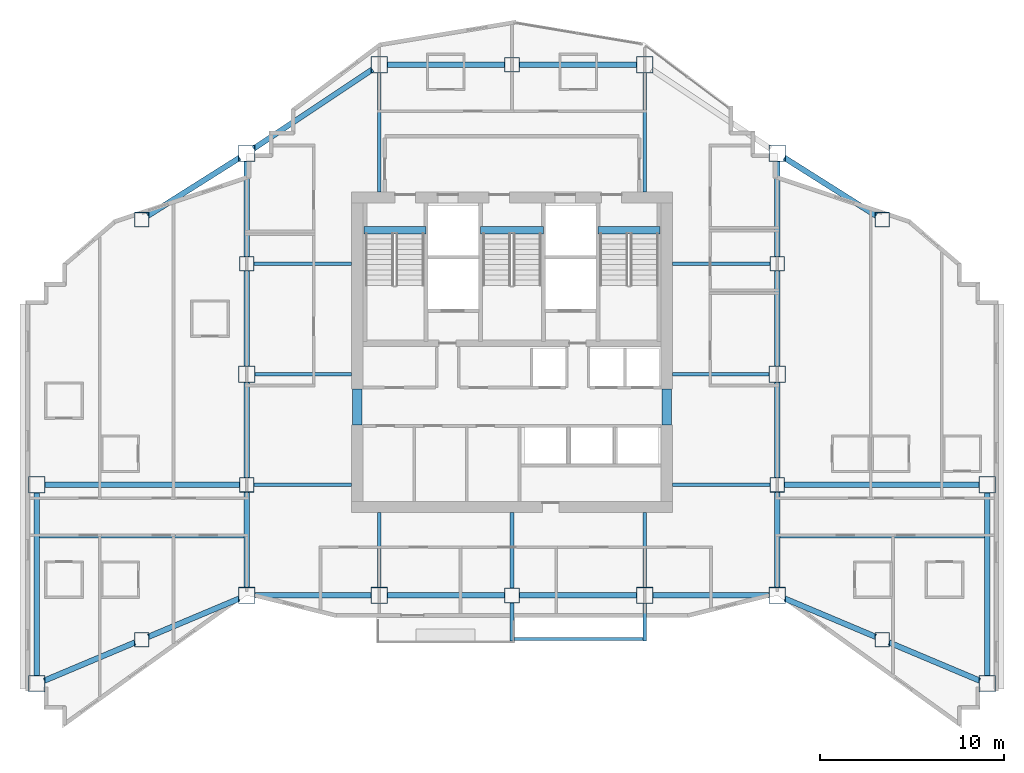
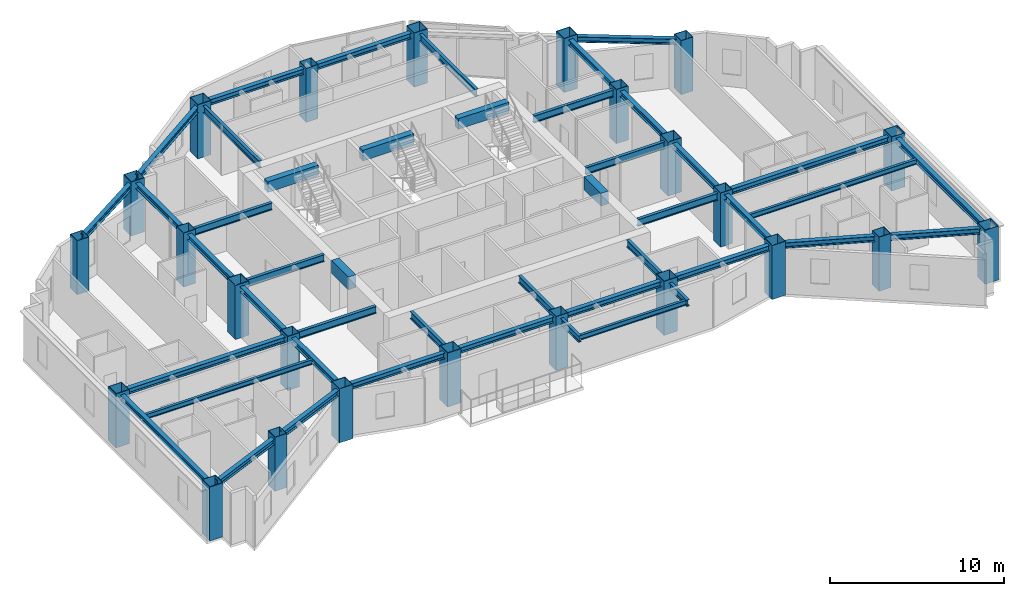
# One storey, part 1 of 13: 46 beams, 24 columns.
"""IFC4 building model written with IfcOpenShell, lengths in metres."""

from ifc_helpers import new_model, si_unit, direction, frame, origin, origin_2d, place, context, subcontext, project, spatial, rectangle, hollow_rectangle, i_section, extrude, material, material_profile, profile_set, type_object, element, save


model = new_model("IFC4")

# Units and contexts
model_context = context("Model", 3, precision=1e-05, world=origin(), true_north=direction((0.0, 1.0)))
body_context = subcontext(model_context, "Body", "Model", "MODEL_VIEW")
ifc_project = project(units=[si_unit("LENGTHUNIT", "METRE"), si_unit("AREAUNIT", "SQUARE_METRE"), si_unit("VOLUMEUNIT", "CUBIC_METRE"), si_unit("PLANEANGLEUNIT", "RADIAN"), si_unit("MASSUNIT", "GRAM", prefix="KILO")], contexts=[model_context])

# Site, building, storey
site_placement = place(None, origin())
site = spatial("IfcSite", under=ifc_project, at=site_placement, CompositionType="ELEMENT")
building_placement = place(site_placement, origin())
building = spatial("IfcBuilding", under=site, at=building_placement, Name="Haolan Belvedere Tower", CompositionType="ELEMENT")
storey_placement = place(building_placement, frame((0.0, 0.0, 219.199951171875)))
storey = spatial("IfcBuildingStorey", under=building, at=storey_placement, Name="L55", CompositionType="ELEMENT", Elevation=219.199951171875)

# Columns
ifc_material_1 = material(Name="Steel Q390GJC", Category="steel")
ifc_material_profile_1 = material_profile(ifc_material_1, hollow_rectangle(XDim=0.800048828125, YDim=0.800048828125, WallThickness=0.030029296875, at=origin_2d()), Name="Steel Q390GJC")
ifc_profile_set_1 = profile_set([ifc_material_profile_1], Name="Steel Q390GJC")
column_type_1 = type_object("IfcColumnType", Name="COL-BOX800x800x30", PredefinedType="COLUMN", material=ifc_profile_set_1)
for number, where, z_axis, x_axis, name in (
    (1, (24.0, 27.60009765625, 0.0), (0.0, 0.0, 1.0), (1.0, 0.0, 0.0), "L55 column TC-T3-W1 (BOX800x800x30)"),
    (2, (24.0, 39.60009765625, 0.0), (0.0, 0.0, 1.0), (1.0, 0.0, 0.0), "L55 column TC-T3-W2 (BOX800x800x30)"),
    (3, (52.800048828125, 27.60009765625, 0.0), (0.0, 0.0, 1.0), (1.0, 0.0, 0.0), "L55 column TC-T3-E1 (BOX800x800x30)"),
    (4, (52.800048828125, 39.60009765625, 0.0), (0.0, 0.0, 1.0), (1.0, 0.0, 0.0), "L55 column TC-T3-E2 (BOX800x800x30)"),
    (5, (38.39990234375, 21.60009765625, 0.0), (0.0, 0.0, 1.0), (1.0, 0.0, 0.0), "L55 column TC-T3-SM (BOX800x800x30)"),
    (6, (38.39990234375, 50.39990234375, 0.0), (0.0, 0.0, 1.0), (1.0, 0.0, 0.0), "L55 column TC-T3-NM (BOX800x800x30)"),
    (7, (18.300048828125, 19.199951171875, 0.0), (0.0, 0.0, 1.0), (1.0, 0.0, 0.0), "L55 column TC-T2-S1 (BOX800x800x30)"),
    (8, (18.300048828125, 42.0, 0.0), (0.0, 0.0, 1.0), (1.0, 0.0, 0.0), "L55 column TC-T2-N1 (BOX800x800x30)"),
    (9, (58.5, 19.199951171875, 0.0), (0.0, 0.0, 1.0), (1.0, 0.0, 0.0), "L55 column TC-T4-S1 (BOX800x800x30)"),
    (10, (58.5, 42.0, 0.0), (0.0, 0.0, 1.0), (1.0, 0.0, 0.0), "L55 column TC-T4-N1 (BOX800x800x30)"),
):
    element("IfcColumn", number, at=place(storey_placement, frame(where, z_axis=z_axis, x_axis=x_axis)), inside=storey, type_object=column_type_1, Name=name, PredefinedType="COLUMN", context=body_context, shape_type="SweptSolid", body=[
        extrude(hollow_rectangle(XDim=0.800048828125, YDim=0.800048828125, WallThickness=0.030029296875, at=origin_2d()), origin(), (0.0, 0.0, 1.0), 3.800048828125),
    ])
ifc_material_profile_2 = material_profile(ifc_material_1, hollow_rectangle(XDim=0.89990234375, YDim=0.89990234375, WallThickness=0.033935546875, at=origin_2d()), Name="Steel Q390GJC")
ifc_profile_set_2 = profile_set([ifc_material_profile_2], Name="Steel Q390GJC")
column_type_2 = type_object("IfcColumnType", Name="COL-BOX900x900x34", PredefinedType="COLUMN", material=ifc_profile_set_2)
for number, where, z_axis, x_axis, name in (
    (11, (24.0, 21.60009765625, 0.0), (0.0, 0.0, 1.0), (1.0, 0.0, 0.0), "L55 column MC-T3-SW (BOX900x900x34)"),
    (12, (24.0, 33.60009765625, 0.0), (0.0, 0.0, 1.0), (1.0, 0.0, 0.0), "L55 column MC-T3-MW (BOX900x900x34)"),
    (13, (24.0, 45.60009765625, 0.0), (0.0, 0.0, 1.0), (1.0, 0.0, 0.0), "L55 column MC-T3-NW (BOX900x900x34)"),
    (14, (52.800048828125, 21.60009765625, 0.0), (0.0, 0.0, 1.0), (1.0, 0.0, 0.0), "L55 column MC-T3-SE (BOX900x900x34)"),
    (15, (52.800048828125, 33.60009765625, 0.0), (0.0, 0.0, 1.0), (1.0, 0.0, 0.0), "L55 column MC-T3-ME (BOX900x900x34)"),
    (16, (52.800048828125, 45.60009765625, 0.0), (0.0, 0.0, 1.0), (1.0, 0.0, 0.0), "L55 column MC-T3-NE (BOX900x900x34)"),
    (17, (31.199951171875, 21.60009765625, 0.0), (0.0, 0.0, 1.0), (1.0, 0.0, 0.0), "L55 column MC-T3-S1 (BOX900x900x34)"),
    (18, (45.60009765625, 21.60009765625, 0.0), (0.0, 0.0, 1.0), (1.0, 0.0, 0.0), "L55 column MC-T3-S2 (BOX900x900x34)"),
    (19, (31.199951171875, 50.39990234375, 0.0), (0.0, 0.0, 1.0), (1.0, 0.0, 0.0), "L55 column MC-T3-N1 (BOX900x900x34)"),
    (20, (45.60009765625, 50.39990234375, 0.0), (0.0, 0.0, 1.0), (1.0, 0.0, 0.0), "L55 column MC-T3-N2 (BOX900x900x34)"),
    (21, (12.60009765625, 16.800048828125, 0.0), (0.0, 0.0, 1.0), (1.0, 0.0, 0.0), "L55 column MC-T2-SW (BOX900x900x34)"),
    (22, (12.60009765625, 27.60009765625, 0.0), (0.0, 0.0, 1.0), (1.0, 0.0, 0.0), "L55 column MC-T2-MW (BOX900x900x34)"),
    (23, (64.199951171875, 16.800048828125, 0.0), (0.0, 0.0, 1.0), (1.0, 0.0, 0.0), "L55 column MC-T4-SE (BOX900x900x34)"),
    (24, (64.199951171875, 27.60009765625, 0.0), (0.0, 0.0, 1.0), (1.0, 0.0, 0.0), "L55 column MC-T4-ME (BOX900x900x34)"),
):
    element("IfcColumn", number, at=place(storey_placement, frame(where, z_axis=z_axis, x_axis=x_axis)), inside=storey, type_object=column_type_2, Name=name, PredefinedType="COLUMN", context=body_context, shape_type="SweptSolid", body=[
        extrude(hollow_rectangle(XDim=0.89990234375, YDim=0.89990234375, WallThickness=0.033935546875, at=origin_2d()), origin(), (0.0, 0.0, 1.0), 3.800048828125),
    ])

# Beams
ifc_material_2 = material(Name="Steel Q355B", Category="steel")
ifc_material_profile_3 = material_profile(ifc_material_2, i_section(OverallWidth=0.300048828125, OverallDepth=0.389892578125, WebThickness=0.010009765625, FlangeThickness=0.01611328125, FilletRadius=0.02197265625, at=origin_2d()), Name="Steel Q355B")
ifc_profile_set_3 = profile_set([ifc_material_profile_3], Name="Steel Q355B")
beam_type_1 = type_object("IfcBeamType", Name="BM-HM390x300x10x16", PredefinedType="SPANDREL", material=ifc_profile_set_3)
for number, where, z_axis, x_axis, name in (
    (25, (24.0, 22.050048828125, 3.425048828125), (0.0, 1.0, 0.0), (-1.0, 0.0, 0.0), "L55 spandrel girder MC-T3-SW-TC-T3-W1"),
    (26, (24.0, 28.0, 3.425048828125), (0.0, 1.0, 0.0), (-1.0, 0.0, 0.0), "L55 spandrel girder TC-T3-W1-MC-T3-MW"),
    (27, (24.0, 34.050048828125, 3.425048828125), (0.0, 1.0, 0.0), (-1.0, 0.0, 0.0), "L55 spandrel girder MC-T3-MW-TC-T3-W2"),
    (28, (24.0, 40.0, 3.425048828125), (0.0, 1.0, 0.0), (-1.0, 0.0, 0.0), "L55 spandrel girder TC-T3-W2-MC-T3-NW"),
    (29, (52.800048828125, 22.050048828125, 3.425048828125), (0.0, 1.0, 0.0), (-1.0, 0.0, 0.0), "L55 spandrel girder MC-T3-SE-TC-T3-E1"),
    (30, (52.800048828125, 28.0, 3.425048828125), (0.0, 1.0, 0.0), (-1.0, 0.0, 0.0), "L55 spandrel girder TC-T3-E1-MC-T3-ME"),
    (31, (52.800048828125, 34.050048828125, 3.425048828125), (0.0, 1.0, 0.0), (-1.0, 0.0, 0.0), "L55 spandrel girder MC-T3-ME-TC-T3-E2"),
    (32, (52.800048828125, 40.0, 3.425048828125), (0.0, 1.0, 0.0), (-1.0, 0.0, 0.0), "L55 spandrel girder TC-T3-E2-MC-T3-NE"),
):
    element("IfcBeam", number, at=place(storey_placement, frame(where, z_axis=z_axis, x_axis=x_axis)), inside=storey, type_object=beam_type_1, Name=name, PredefinedType="SPANDREL", context=body_context, shape_type="SweptSolid", body=[
        extrude(i_section(OverallWidth=0.300048828125, OverallDepth=0.389892578125, WebThickness=0.010009765625, FlangeThickness=0.01611328125, FilletRadius=0.02197265625, at=origin_2d()), origin(), (0.0, 0.0, 1.0), 5.14990234375),
    ])
beam_1_placement = place(storey_placement, frame((24.449951171875, 21.60009765625, 3.425048828125), z_axis=(1.0, 0.0, 0.0), x_axis=(0.0, 1.0, 0.0)))
element("IfcBeam", 33, at=beam_1_placement, inside=storey, type_object=beam_type_1, Name="L55 spandrel girder MC-T3-SW-MC-T3-S1", PredefinedType="SPANDREL", context=body_context, shape_type="SweptSolid", body=[
    extrude(i_section(OverallWidth=0.300048828125, OverallDepth=0.389892578125, WebThickness=0.010009765625, FlangeThickness=0.01611328125, FilletRadius=0.02197265625, at=origin_2d()), origin(), (0.0, 0.0, 1.0), 6.300048828125),
])
beam_2_placement = place(storey_placement, frame((31.64990234375, 21.60009765625, 3.425048828125), z_axis=(1.0, 0.0, 0.0), x_axis=(0.0, 1.0, 0.0)))
element("IfcBeam", 34, at=beam_2_placement, inside=storey, type_object=beam_type_1, Name="L55 spandrel girder MC-T3-S1-TC-T3-SM", PredefinedType="SPANDREL", context=body_context, shape_type="SweptSolid", body=[
    extrude(i_section(OverallWidth=0.300048828125, OverallDepth=0.389892578125, WebThickness=0.010009765625, FlangeThickness=0.01611328125, FilletRadius=0.02197265625, at=origin_2d()), origin(), (0.0, 0.0, 1.0), 6.35009765625),
])
beam_3_placement = place(storey_placement, frame((38.800048828125, 21.60009765625, 3.425048828125), z_axis=(1.0, 0.0, 0.0), x_axis=(0.0, 1.0, 0.0)))
element("IfcBeam", 35, at=beam_3_placement, inside=storey, type_object=beam_type_1, Name="L55 spandrel girder TC-T3-SM-MC-T3-S2", PredefinedType="SPANDREL", context=body_context, shape_type="SweptSolid", body=[
    extrude(i_section(OverallWidth=0.300048828125, OverallDepth=0.389892578125, WebThickness=0.010009765625, FlangeThickness=0.01611328125, FilletRadius=0.02197265625, at=origin_2d()), origin(), (0.0, 0.0, 1.0), 6.349853515625),
])
beam_4_placement = place(storey_placement, frame((46.050048828125, 21.60009765625, 3.425048828125), z_axis=(1.0, 0.0, 0.0), x_axis=(0.0, 1.0, 0.0)))
element("IfcBeam", 36, at=beam_4_placement, inside=storey, type_object=beam_type_1, Name="L55 spandrel girder MC-T3-S2-MC-T3-SE", PredefinedType="SPANDREL", context=body_context, shape_type="SweptSolid", body=[
    extrude(i_section(OverallWidth=0.300048828125, OverallDepth=0.389892578125, WebThickness=0.010009765625, FlangeThickness=0.01611328125, FilletRadius=0.02197265625, at=origin_2d()), origin(), (0.0, 0.0, 1.0), 6.300048828125),
])
beam_5_placement = place(storey_placement, frame((24.37451171875, 45.849609375, 3.425048828125), z_axis=(0.832050294338, 0.554700196225, 0.0), x_axis=(-0.554700196225, 0.832050294338, 0.0)))
element("IfcBeam", 37, at=beam_5_placement, inside=storey, type_object=beam_type_1, Name="L55 spandrel girder MC-T3-NW-MC-T3-N1", PredefinedType="SPANDREL", context=body_context, shape_type="SweptSolid", body=[
    extrude(i_section(OverallWidth=0.300048828125, OverallDepth=0.389892578125, WebThickness=0.010009765625, FlangeThickness=0.01611328125, FilletRadius=0.02197265625, at=origin_2d()), origin(), (0.0, 0.0, 1.0), 7.75341796875),
])
beam_6_placement = place(storey_placement, frame((31.64990234375, 50.39990234375, 3.425048828125), z_axis=(1.0, 0.0, 0.0), x_axis=(0.0, 1.0, 0.0)))
element("IfcBeam", 38, at=beam_6_placement, inside=storey, type_object=beam_type_1, Name="L55 spandrel girder MC-T3-N1-TC-T3-NM", PredefinedType="SPANDREL", context=body_context, shape_type="SweptSolid", body=[
    extrude(i_section(OverallWidth=0.300048828125, OverallDepth=0.389892578125, WebThickness=0.010009765625, FlangeThickness=0.01611328125, FilletRadius=0.02197265625, at=origin_2d()), origin(), (0.0, 0.0, 1.0), 6.35009765625),
])
beam_7_placement = place(storey_placement, frame((38.800048828125, 50.39990234375, 3.425048828125), z_axis=(1.0, 0.0, 0.0), x_axis=(0.0, 1.0, 0.0)))
element("IfcBeam", 39, at=beam_7_placement, inside=storey, type_object=beam_type_1, Name="L55 spandrel girder TC-T3-NM-MC-T3-N2", PredefinedType="SPANDREL", context=body_context, shape_type="SweptSolid", body=[
    extrude(i_section(OverallWidth=0.300048828125, OverallDepth=0.389892578125, WebThickness=0.010009765625, FlangeThickness=0.01611328125, FilletRadius=0.02197265625, at=origin_2d()), origin(), (0.0, 0.0, 1.0), 6.349853515625),
])
beam_8_placement = place(storey_placement, frame((12.60009765625, 17.25, 3.425048828125), z_axis=(0.0, 1.0, 0.0), x_axis=(-1.0, 0.0, 0.0)))
element("IfcBeam", 40, at=beam_8_placement, inside=storey, type_object=beam_type_1, Name="L55 spandrel girder MC-T2-SW-MC-T2-MW", PredefinedType="SPANDREL", context=body_context, shape_type="SweptSolid", body=[
    extrude(i_section(OverallWidth=0.300048828125, OverallDepth=0.389892578125, WebThickness=0.010009765625, FlangeThickness=0.01611328125, FilletRadius=0.02197265625, at=origin_2d()), origin(), (0.0, 0.0, 1.0), 9.89990234375),
])
beam_9_placement = place(storey_placement, frame((13.0146484375, 16.974609375, 3.425048828125), z_axis=(0.921644850741, 0.388034494733, 0.0), x_axis=(-0.388034494733, 0.921644850741, 0.0)))
element("IfcBeam", 41, at=beam_9_placement, inside=storey, type_object=beam_type_1, Name="L55 spandrel girder MC-T2-SW-TC-T2-S1", PredefinedType="SPANDREL", context=body_context, shape_type="SweptSolid", body=[
    extrude(i_section(OverallWidth=0.300048828125, OverallDepth=0.389892578125, WebThickness=0.010009765625, FlangeThickness=0.01611328125, FilletRadius=0.02197265625, at=origin_2d()), origin(), (0.0, 0.0, 1.0), 5.334716796875),
])
beam_10_placement = place(storey_placement, frame((18.668701171875, 19.355224609375, 3.425048828125), z_axis=(0.921637959557, 0.388050862006, 0.0), x_axis=(-0.388050862006, 0.921637959557, 0.0)))
element("IfcBeam", 42, at=beam_10_placement, inside=storey, type_object=beam_type_1, Name="L55 spandrel girder TC-T2-S1-MC-T3-SW", PredefinedType="SPANDREL", context=body_context, shape_type="SweptSolid", body=[
    extrude(i_section(OverallWidth=0.300048828125, OverallDepth=0.389892578125, WebThickness=0.010009765625, FlangeThickness=0.01611328125, FilletRadius=0.02197265625, at=origin_2d()), origin(), (0.0, 0.0, 1.0), 5.33447265625),
])
beam_11_placement = place(storey_placement, frame((18.63818359375, 42.213623046875, 3.425048828125), z_axis=(0.845502688092, 0.533971164417, 0.0), x_axis=(-0.533971164417, 0.845502688092, 0.0)))
element("IfcBeam", 43, at=beam_11_placement, inside=storey, type_object=beam_type_1, Name="L55 spandrel girder TC-T2-N1-MC-T3-NW", PredefinedType="SPANDREL", context=body_context, shape_type="SweptSolid", body=[
    extrude(i_section(OverallWidth=0.300048828125, OverallDepth=0.389892578125, WebThickness=0.010009765625, FlangeThickness=0.01611328125, FilletRadius=0.02197265625, at=origin_2d()), origin(), (0.0, 0.0, 1.0), 5.8916015625),
])
beam_12_placement = place(storey_placement, frame((13.050048828125, 27.60009765625, 3.425048828125), z_axis=(1.0, 0.0, 0.0), x_axis=(0.0, 1.0, 0.0)))
element("IfcBeam", 44, at=beam_12_placement, inside=storey, type_object=beam_type_1, Name="L55 spandrel girder MC-T2-MW-TC-T3-W1", PredefinedType="SPANDREL", context=body_context, shape_type="SweptSolid", body=[
    extrude(i_section(OverallWidth=0.300048828125, OverallDepth=0.389892578125, WebThickness=0.010009765625, FlangeThickness=0.01611328125, FilletRadius=0.02197265625, at=origin_2d()), origin(), (0.0, 0.0, 1.0), 10.550048828125),
])
beam_13_placement = place(storey_placement, frame((64.199951171875, 17.25, 3.425048828125), z_axis=(0.0, 1.0, 0.0), x_axis=(-1.0, 0.0, 0.0)))
element("IfcBeam", 45, at=beam_13_placement, inside=storey, type_object=beam_type_1, Name="L55 spandrel girder MC-T4-SE-MC-T4-ME", PredefinedType="SPANDREL", context=body_context, shape_type="SweptSolid", body=[
    extrude(i_section(OverallWidth=0.300048828125, OverallDepth=0.389892578125, WebThickness=0.010009765625, FlangeThickness=0.01611328125, FilletRadius=0.02197265625, at=origin_2d()), origin(), (0.0, 0.0, 1.0), 9.89990234375),
])
for number, where, z_axis, x_axis, name in (
    (46, (53.21484375, 21.42529296875, 3.425048828125), (0.921637959557, -0.388050862006, 0.0), (0.388050862006, 0.921637959557, 0.0), "L55 spandrel girder MC-T3-SE-TC-T4-S1"),
    (47, (58.86865234375, 19.044677734375, 3.425048828125), (0.921637959557, -0.388050862006, 0.0), (0.388050862006, 0.921637959557, 0.0), "L55 spandrel girder TC-T4-S1-MC-T4-SE"),
):
    element("IfcBeam", number, at=place(storey_placement, frame(where, z_axis=z_axis, x_axis=x_axis)), inside=storey, type_object=beam_type_1, Name=name, PredefinedType="SPANDREL", context=body_context, shape_type="SweptSolid", body=[
        extrude(i_section(OverallWidth=0.300048828125, OverallDepth=0.389892578125, WebThickness=0.010009765625, FlangeThickness=0.01611328125, FilletRadius=0.02197265625, at=origin_2d()), origin(), (0.0, 0.0, 1.0), 5.33447265625),
    ])
beam_14_placement = place(storey_placement, frame((53.180419921875, 45.359619140625, 3.425048828125), z_axis=(0.845502688092, -0.533971164417, 0.0), x_axis=(0.533971164417, 0.845502688092, 0.0)))
element("IfcBeam", 48, at=beam_14_placement, inside=storey, type_object=beam_type_1, Name="L55 spandrel girder MC-T3-NE-TC-T4-N1", PredefinedType="SPANDREL", context=body_context, shape_type="SweptSolid", body=[
    extrude(i_section(OverallWidth=0.300048828125, OverallDepth=0.389892578125, WebThickness=0.010009765625, FlangeThickness=0.01611328125, FilletRadius=0.02197265625, at=origin_2d()), origin(), (0.0, 0.0, 1.0), 5.8916015625),
])
beam_15_placement = place(storey_placement, frame((53.199951171875, 27.60009765625, 3.425048828125), z_axis=(1.0, 0.0, 0.0), x_axis=(0.0, 1.0, 0.0)))
element("IfcBeam", 49, at=beam_15_placement, inside=storey, type_object=beam_type_1, Name="L55 spandrel girder TC-T3-E1-MC-T4-ME", PredefinedType="SPANDREL", context=body_context, shape_type="SweptSolid", body=[
    extrude(i_section(OverallWidth=0.300048828125, OverallDepth=0.389892578125, WebThickness=0.010009765625, FlangeThickness=0.01611328125, FilletRadius=0.02197265625, at=origin_2d()), origin(), (0.0, 0.0, 1.0), 10.550048828125),
])
ifc_material_profile_4 = material_profile(ifc_material_2, i_section(OverallWidth=0.175048828125, OverallDepth=0.35009765625, WebThickness=0.007080078125, FlangeThickness=0.010986328125, FilletRadius=0.012939453125, at=origin_2d()), Name="Steel Q355B")
ifc_profile_set_4 = profile_set([ifc_material_profile_4], Name="Steel Q355B")
beam_type_2 = type_object("IfcBeamType", Name="BM-HN350x175x7x11", PredefinedType="JOIST", material=ifc_profile_set_4)
for number, where, z_axis, x_axis, name in (
    (50, (12.75, 24.800048828125, 3.445068359375), (1.0, 0.0, 0.0), (0.0, 1.0, 0.0), "L55 west wing floor joist 1"),
    (51, (52.949951171875, 24.800048828125, 3.445068359375), (1.0, 0.0, 0.0), (0.0, 1.0, 0.0), "L55 east wing floor joist 1"),
):
    element("IfcBeam", number, at=place(storey_placement, frame(where, z_axis=z_axis, x_axis=x_axis)), inside=storey, type_object=beam_type_2, Name=name, PredefinedType="JOIST", context=body_context, shape_type="SweptSolid", body=[
        extrude(i_section(OverallWidth=0.175048828125, OverallDepth=0.35009765625, WebThickness=0.007080078125, FlangeThickness=0.010986328125, FilletRadius=0.012939453125, at=origin_2d()), origin(), (0.0, 0.0, 1.0), 11.10009765625),
    ])
beam_16_placement = place(storey_placement, frame((38.5, 19.239990234375, 3.39501953125), z_axis=(1.0, 0.0, 0.0), x_axis=(0.0, 1.0, 0.0)))
element("IfcBeam", 52, at=beam_16_placement, inside=storey, type_object=beam_type_2, Name="L56 tree-balcony front trimmer beam 1", PredefinedType="BEAM", context=body_context, shape_type="SweptSolid", body=[
    extrude(i_section(OverallWidth=0.175048828125, OverallDepth=0.35009765625, WebThickness=0.007080078125, FlangeThickness=0.010986328125, FilletRadius=0.012939453125, at=origin_2d()), origin(), (0.0, 0.0, 1.0), 7.0),
])
ifc_material_profile_5 = material_profile(ifc_material_2, i_section(OverallWidth=0.199951171875, OverallDepth=0.449951171875, WebThickness=0.009033203125, FlangeThickness=0.013916015625, FilletRadius=0.01611328125, at=origin_2d()), Name="Steel Q355B")
ifc_profile_set_5 = profile_set([ifc_material_profile_5], Name="Steel Q355B")
beam_type_3 = type_object("IfcBeamType", Name="BM-HN450x200x9x14", PredefinedType="BEAM", material=ifc_profile_set_5)
beam_17_placement = place(storey_placement, frame((38.39990234375, 21.199951171875, 3.344970703125), z_axis=(0.0, -1.0, 0.0), x_axis=(1.0, 0.0, 0.0)))
element("IfcBeam", 53, at=beam_17_placement, inside=storey, type_object=beam_type_3, Name="L56 tree-balcony column cantilever TC-T3-SM", PredefinedType="BEAM", context=body_context, shape_type="SweptSolid", body=[
    extrude(i_section(OverallWidth=0.199951171875, OverallDepth=0.449951171875, WebThickness=0.009033203125, FlangeThickness=0.013916015625, FilletRadius=0.01611328125, at=origin_2d()), origin(), (0.0, 0.0, 1.0), 2.06005859375),
])
beam_18_placement = place(storey_placement, frame((45.60009765625, 21.14990234375, 3.344970703125), z_axis=(0.0, -1.0, 0.0), x_axis=(1.0, 0.0, 0.0)))
element("IfcBeam", 54, at=beam_18_placement, inside=storey, type_object=beam_type_3, Name="L56 tree-balcony column cantilever MC-T3-S2", PredefinedType="BEAM", context=body_context, shape_type="SweptSolid", body=[
    extrude(i_section(OverallWidth=0.199951171875, OverallDepth=0.449951171875, WebThickness=0.009033203125, FlangeThickness=0.013916015625, FilletRadius=0.01611328125, at=origin_2d()), origin(), (0.0, 0.0, 1.0), 2.010009765625),
])
ifc_material_profile_6 = material_profile(ifc_material_2, i_section(OverallWidth=0.199951171875, OverallDepth=0.5, WebThickness=0.010009765625, FlangeThickness=0.01611328125, FilletRadius=0.02001953125, at=origin_2d()), Name="Steel Q355B")
ifc_profile_set_6 = profile_set([ifc_material_profile_6], Name="Steel Q355B")
beam_type_4 = type_object("IfcBeamType", Name="BM-HN500x200x10x16", PredefinedType="BEAM", material=ifc_profile_set_6)
beam_19_placement = place(storey_placement, frame((24.449951171875, 33.60009765625, 3.3701171875), z_axis=(1.0, 0.0, 0.0), x_axis=(0.0, 1.0, 0.0)))
element("IfcBeam", 55, at=beam_19_placement, inside=storey, type_object=beam_type_4, Name="L55 core tie beam from MC-T3-MW", PredefinedType="BEAM", context=body_context, shape_type="SweptSolid", body=[
    extrude(i_section(OverallWidth=0.199951171875, OverallDepth=0.5, WebThickness=0.010009765625, FlangeThickness=0.01611328125, FilletRadius=0.02001953125, at=origin_2d()), origin(), (0.0, 0.0, 1.0), 5.25),
])
for number, where, z_axis, x_axis, name in (
    (56, (24.39990234375, 27.60009765625, 3.3701171875), (1.0, 0.0, 0.0), (0.0, 1.0, 0.0), "L55 core tie beam from TC-T3-W1"),
    (57, (24.39990234375, 39.60009765625, 3.3701171875), (1.0, 0.0, 0.0), (0.0, 1.0, 0.0), "L55 core tie beam from TC-T3-W2"),
):
    element("IfcBeam", number, at=place(storey_placement, frame(where, z_axis=z_axis, x_axis=x_axis)), inside=storey, type_object=beam_type_4, Name=name, PredefinedType="BEAM", context=body_context, shape_type="SweptSolid", body=[
        extrude(i_section(OverallWidth=0.199951171875, OverallDepth=0.5, WebThickness=0.010009765625, FlangeThickness=0.01611328125, FilletRadius=0.02001953125, at=origin_2d()), origin(), (0.0, 0.0, 1.0), 5.300048828125),
    ])
beam_20_placement = place(storey_placement, frame((52.35009765625, 33.60009765625, 3.3701171875), z_axis=(-1.0, 0.0, 0.0), x_axis=(0.0, -1.0, 0.0)))
element("IfcBeam", 58, at=beam_20_placement, inside=storey, type_object=beam_type_4, Name="L55 core tie beam from MC-T3-ME", PredefinedType="BEAM", context=body_context, shape_type="SweptSolid", body=[
    extrude(i_section(OverallWidth=0.199951171875, OverallDepth=0.5, WebThickness=0.010009765625, FlangeThickness=0.01611328125, FilletRadius=0.02001953125, at=origin_2d()), origin(), (0.0, 0.0, 1.0), 5.25),
])
for number, where, z_axis, x_axis, name in (
    (59, (52.39990234375, 27.60009765625, 3.3701171875), (-1.0, 0.0, 0.0), (0.0, -1.0, 0.0), "L55 core tie beam from TC-T3-E1"),
    (60, (52.39990234375, 39.60009765625, 3.3701171875), (-1.0, 0.0, 0.0), (0.0, -1.0, 0.0), "L55 core tie beam from TC-T3-E2"),
):
    element("IfcBeam", number, at=place(storey_placement, frame(where, z_axis=z_axis, x_axis=x_axis)), inside=storey, type_object=beam_type_4, Name=name, PredefinedType="BEAM", context=body_context, shape_type="SweptSolid", body=[
        extrude(i_section(OverallWidth=0.199951171875, OverallDepth=0.5, WebThickness=0.010009765625, FlangeThickness=0.01611328125, FilletRadius=0.02001953125, at=origin_2d()), origin(), (0.0, 0.0, 1.0), 5.2998046875),
    ])
beam_21_placement = place(storey_placement, frame((31.199951171875, 22.050048828125, 3.3701171875), z_axis=(0.0, 1.0, 0.0), x_axis=(-1.0, 0.0, 0.0)))
element("IfcBeam", 61, at=beam_21_placement, inside=storey, type_object=beam_type_4, Name="L55 core tie beam from MC-T3-S1", PredefinedType="BEAM", context=body_context, shape_type="SweptSolid", body=[
    extrude(i_section(OverallWidth=0.199951171875, OverallDepth=0.5, WebThickness=0.010009765625, FlangeThickness=0.01611328125, FilletRadius=0.02001953125, at=origin_2d()), origin(), (0.0, 0.0, 1.0), 4.050048828125),
])
beam_22_placement = place(storey_placement, frame((38.39990234375, 22.0, 3.3701171875), z_axis=(0.0, 1.0, 0.0), x_axis=(-1.0, 0.0, 0.0)))
element("IfcBeam", 62, at=beam_22_placement, inside=storey, type_object=beam_type_4, Name="L55 core tie beam from TC-T3-SM", PredefinedType="BEAM", context=body_context, shape_type="SweptSolid", body=[
    extrude(i_section(OverallWidth=0.199951171875, OverallDepth=0.5, WebThickness=0.010009765625, FlangeThickness=0.01611328125, FilletRadius=0.02001953125, at=origin_2d()), origin(), (0.0, 0.0, 1.0), 4.10009765625),
])
beam_23_placement = place(storey_placement, frame((45.60009765625, 22.050048828125, 3.3701171875), z_axis=(0.0, 1.0, 0.0), x_axis=(-1.0, 0.0, 0.0)))
element("IfcBeam", 63, at=beam_23_placement, inside=storey, type_object=beam_type_4, Name="L55 core tie beam from MC-T3-S2", PredefinedType="BEAM", context=body_context, shape_type="SweptSolid", body=[
    extrude(i_section(OverallWidth=0.199951171875, OverallDepth=0.5, WebThickness=0.010009765625, FlangeThickness=0.01611328125, FilletRadius=0.02001953125, at=origin_2d()), origin(), (0.0, 0.0, 1.0), 4.050048828125),
])
for number, where, z_axis, x_axis, name in (
    (64, (31.199951171875, 49.949951171875, 3.3701171875), (0.0, -1.0, 0.0), (1.0, 0.0, 0.0), "L55 core tie beam from MC-T3-N1"),
    (65, (45.60009765625, 49.949951171875, 3.3701171875), (0.0, -1.0, 0.0), (1.0, 0.0, 0.0), "L55 core tie beam from MC-T3-N2"),
):
    element("IfcBeam", number, at=place(storey_placement, frame(where, z_axis=z_axis, x_axis=x_axis)), inside=storey, type_object=beam_type_4, Name=name, PredefinedType="BEAM", context=body_context, shape_type="SweptSolid", body=[
        extrude(i_section(OverallWidth=0.199951171875, OverallDepth=0.5, WebThickness=0.010009765625, FlangeThickness=0.01611328125, FilletRadius=0.02001953125, at=origin_2d()), origin(), (0.0, 0.0, 1.0), 6.449951171875),
    ])
ifc_material_3 = material(Name="Concrete C50/60", Category="concrete")
ifc_material_profile_7 = material_profile(ifc_material_3, rectangle(XDim=0.39990234375, YDim=0.75, at=origin_2d()), Name="Concrete C50/60")
ifc_profile_set_7 = profile_set([ifc_material_profile_7], Name="Concrete C50/60")
beam_type_5 = type_object("IfcBeamType", Name="BM-RC400x750", PredefinedType="T_BEAM", material=ifc_profile_set_7)
beam_24_placement = place(storey_placement, frame((30.3798828125, 41.429931640625, 3.425048828125), z_axis=(1.0, 0.0, 0.0), x_axis=(0.0, 1.0, 0.0)))
element("IfcBeam", 66, at=beam_24_placement, inside=storey, type_object=beam_type_5, Name="L56 stair ST1 RC header trimmer beam", PredefinedType="BEAM", context=body_context, shape_type="SweptSolid", body=[
    extrude(rectangle(XDim=0.39990234375, YDim=0.75, at=origin_2d()), origin(), (0.0, 0.0, 1.0), 3.360107421875),
])
beam_25_placement = place(storey_placement, frame((36.699951171875, 41.429931640625, 3.425048828125), z_axis=(1.0, 0.0, 0.0), x_axis=(0.0, 1.0, 0.0)))
element("IfcBeam", 67, at=beam_25_placement, inside=storey, type_object=beam_type_5, Name="L56 stair ST3 RC header trimmer beam", PredefinedType="BEAM", context=body_context, shape_type="SweptSolid", body=[
    extrude(rectangle(XDim=0.39990234375, YDim=0.75, at=origin_2d()), origin(), (0.0, 0.0, 1.0), 3.400146484375),
])
beam_26_placement = place(storey_placement, frame((43.06005859375, 41.429931640625, 3.425048828125), z_axis=(1.0, 0.0, 0.0), x_axis=(0.0, 1.0, 0.0)))
element("IfcBeam", 68, at=beam_26_placement, inside=storey, type_object=beam_type_5, Name="L56 stair ST2 RC header trimmer beam", PredefinedType="BEAM", context=body_context, shape_type="SweptSolid", body=[
    extrude(rectangle(XDim=0.39990234375, YDim=0.75, at=origin_2d()), origin(), (0.0, 0.0, 1.0), 3.35986328125),
])
ifc_material_4 = material(Name="Concrete C60/75", Category="concrete")
ifc_material_profile_8 = material_profile(ifc_material_4, rectangle(XDim=0.5, YDim=0.89990234375, at=origin_2d()), Name="Concrete C60/75")
ifc_profile_set_8 = profile_set([ifc_material_profile_8], Name="Concrete C60/75")
beam_type_6 = type_object("IfcBeamType", Name="BM-RC500x900", PredefinedType="LINTEL", material=ifc_profile_set_8)
for number, where, z_axis, x_axis, name in (
    (69, (30.0, 30.85009765625, 3.170166015625), (0.0, 1.0, 0.0), (-1.0, 0.0, 0.0), "L55 west core coupling beam CB-01"),
    (70, (46.800048828125, 30.85009765625, 3.170166015625), (0.0, 1.0, 0.0), (-1.0, 0.0, 0.0), "L55 east core coupling beam CB-01"),
):
    element("IfcBeam", number, at=place(storey_placement, frame(where, z_axis=z_axis, x_axis=x_axis)), inside=storey, type_object=beam_type_6, Name=name, PredefinedType="LINTEL", context=body_context, shape_type="SweptSolid", body=[
        extrude(rectangle(XDim=0.5, YDim=0.89990234375, at=origin_2d()), origin(), (0.0, 0.0, 1.0), 1.949951171875),
    ])

save(model, "model.ifc")
